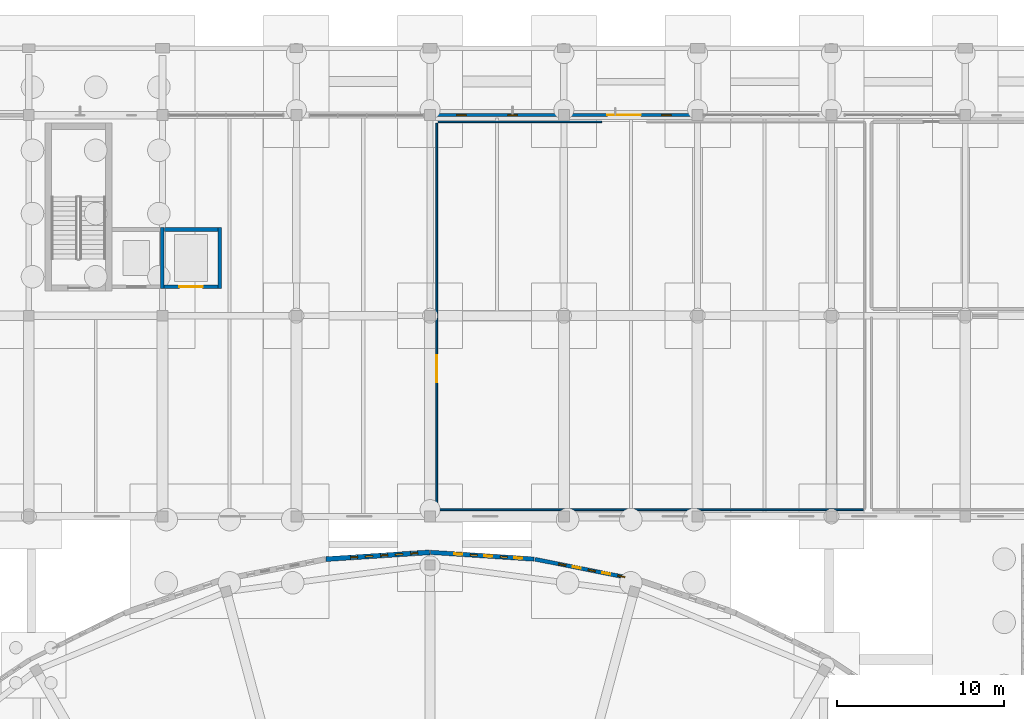
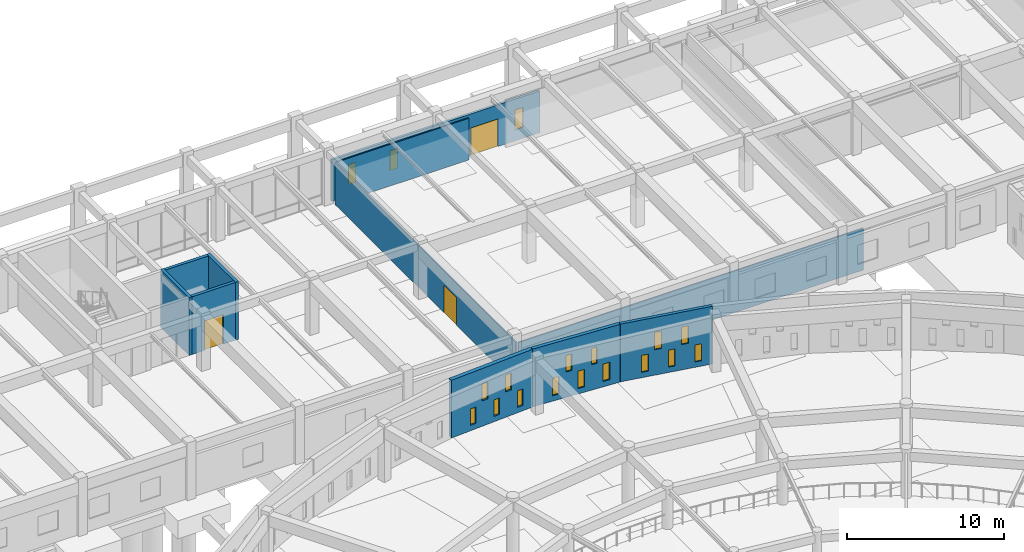
# One storey, part 54 of 84: 18 windows, 11 walls, 3 doors, 21 openings.
"""IFC4 building model written with IfcOpenShell, lengths in metres."""

from ifc_helpers import new_model, si_unit, direction, frame, frame_2d, origin, place, context, subcontext, project, spatial, rectangle, extrude, material, layer, layer_set, type_object, element, fill, save


model = new_model("IFC4")

# Units and contexts
model_context = context("Model", 3, precision=1e-05, world=origin(), true_north=direction((0.0, 1.0)))
body_context = subcontext(model_context, "Body", "Model", "MODEL_VIEW")
ifc_project = project(units=[si_unit("LENGTHUNIT", "METRE"), si_unit("AREAUNIT", "SQUARE_METRE"), si_unit("VOLUMEUNIT", "CUBIC_METRE"), si_unit("PLANEANGLEUNIT", "RADIAN"), si_unit("MASSUNIT", "GRAM", prefix="KILO")], contexts=[model_context])

# Site, building, storey
site_placement = place(None, origin())
site = spatial("IfcSite", under=ifc_project, at=site_placement, CompositionType="ELEMENT")
building_placement = place(site_placement, origin())
building = spatial("IfcBuilding", under=site, at=building_placement, Name="Larkveld Mobility Hub", CompositionType="ELEMENT")
storey_placement = place(building_placement, origin())
storey = spatial("IfcBuildingStorey", under=building, at=storey_placement, Name="L00", CompositionType="ELEMENT", Elevation=0.0)

# Wall, openings, windows
ifc_material_1 = material(Name="Fired clay brick 25 MPa", Category="masonry")
ifc_layer_1 = layer(ifc_material_1, 0.22998046875, Name="Fired clay brick 25 MPa", Category="masonry")
ifc_layer_set_1 = layer_set([ifc_layer_1], Name="Fired clay brick 25 MPa")
wall_type_1 = type_object("IfcWallType", Name="WL-BRK-230", PredefinedType="USERDEFINED", material=ifc_layer_set_1)
wall_1_placement = place(storey_placement, frame((60.360107421875, 94.22509765625, 0.0), z_axis=(0.0, 0.0, 1.0), x_axis=(-0.980799338869, 0.195019632022, 0.0)))
wall_1 = element("IfcWall", 1, at=wall_1_placement, inside=storey, type_object=wall_type_1, Name="Drum Woven Open-Bond Brick Chord L00-0009", ObjectType="PERFORATED BRICK SCREEN", PredefinedType="USERDEFINED", context=body_context, shape_type="SweptSolid", body=[
    extrude(rectangle(XDim=6.209228515625, YDim=0.22998046875, at=frame_2d((3.1044921875, 0.0))), origin(), (0.0, 0.0, 1.0), 4.5),
])
opening_1_placement = place(wall_1_placement, frame((0.719970703125, 0.0, 0.419921875)))
opening_1 = element("IfcOpeningElement", 2, at=opening_1_placement, cuts=wall_1, Name="Opening W02", PredefinedType="OPENING", context=body_context, shape_type="SweptSolid", body=[
    extrude(rectangle(XDim=0.449951171875, YDim=1.320068359375, at=frame_2d((0.22509765625, 0.66015625))), frame((0.0, 0.125, 0.0), z_axis=(0.0, -1.0, 0.0), x_axis=(1.0, 0.0, 0.0)), (0.0, 0.0, 1.0), 0.25),
])
opening_2_placement = place(wall_1_placement, frame((2.52001953125, 0.0, 0.419921875)))
opening_2 = element("IfcOpeningElement", 3, at=opening_2_placement, cuts=wall_1, Name="Opening W02", PredefinedType="OPENING", context=body_context, shape_type="SweptSolid", body=[
    extrude(rectangle(XDim=0.449951171875, YDim=1.320068359375, at=frame_2d((0.22509765625, 0.66015625))), frame((0.0, 0.125, 0.0), z_axis=(0.0, -1.0, 0.0), x_axis=(1.0, 0.0, 0.0)), (0.0, 0.0, 1.0), 0.25),
])
opening_3_placement = place(wall_1_placement, frame((4.320068359375, 0.0, 0.419921875)))
opening_3 = element("IfcOpeningElement", 4, at=opening_3_placement, cuts=wall_1, Name="Opening W02", PredefinedType="OPENING", context=body_context, shape_type="SweptSolid", body=[
    extrude(rectangle(XDim=0.449951171875, YDim=1.320068359375, at=frame_2d((0.22509765625, 0.66015625))), frame((0.0, 0.125, 0.0), z_axis=(0.0, -1.0, 0.0), x_axis=(1.0, 0.0, 0.0)), (0.0, 0.0, 1.0), 0.25),
])
opening_4_placement = place(wall_1_placement, frame((1.6201171875, 0.0, 1.97998046875)))
opening_4 = element("IfcOpeningElement", 5, at=opening_4_placement, cuts=wall_1, Name="Opening W03", PredefinedType="OPENING", context=body_context, shape_type="SweptSolid", body=[
    extrude(rectangle(XDim=0.47998046875, YDim=1.360107421875, at=frame_2d((0.239990234375, 0.68017578125))), frame((0.0, 0.125, 0.0), z_axis=(0.0, -1.0, 0.0), x_axis=(1.0, 0.0, 0.0)), (0.0, 0.0, 1.0), 0.25),
])
opening_5_placement = place(wall_1_placement, frame((3.419921875, 0.0, 1.97998046875)))
opening_5 = element("IfcOpeningElement", 6, at=opening_5_placement, cuts=wall_1, Name="Opening W03", PredefinedType="OPENING", context=body_context, shape_type="SweptSolid", body=[
    extrude(rectangle(XDim=0.47998046875, YDim=1.360107421875, at=frame_2d((0.239990234375, 0.68017578125))), frame((0.0, 0.125, 0.0), z_axis=(0.0, -1.0, 0.0), x_axis=(1.0, 0.0, 0.0)), (0.0, 0.0, 1.0), 0.25),
])
ifc_material_2 = material(Name="Extruded aluminium ventilation grille", Category="aluminium")
window_type_1 = type_object("IfcWindowType", Name="WN-VENT-02", PartitioningType="SINGLE_PANEL", PredefinedType="WINDOW", material=ifc_material_2)
window_1_placement = place(opening_1_placement, origin())
window_1 = element("IfcWindow", 7, at=window_1_placement, inside=storey, type_object=window_type_1, Name="Window W02 (0041)", OverallHeight=1.320068359375, OverallWidth=0.449951171875, PartitioningType="SINGLE_PANEL", PredefinedType="WINDOW", context=body_context, shape_type="SweptSolid", body=[
    extrude(rectangle(XDim=0.449951171875, YDim=1.320068359375, at=frame_2d((0.22509765625, 0.66015625))), frame((0.0, 0.030029296875, 0.0), z_axis=(0.0, -1.0, 0.0), x_axis=(1.0, 0.0, 0.0)), (0.0, 0.0, 1.0), 0.06005859375),
])
fill(opening_1, window_1)
window_2_placement = place(opening_2_placement, origin())
window_2 = element("IfcWindow", 8, at=window_2_placement, inside=storey, type_object=window_type_1, Name="Window W02 (0042)", OverallHeight=1.320068359375, OverallWidth=0.449951171875, PartitioningType="SINGLE_PANEL", PredefinedType="WINDOW", context=body_context, shape_type="SweptSolid", body=[
    extrude(rectangle(XDim=0.449951171875, YDim=1.320068359375, at=frame_2d((0.22509765625, 0.66015625))), frame((0.0, 0.030029296875, 0.0), z_axis=(0.0, -1.0, 0.0), x_axis=(1.0, 0.0, 0.0)), (0.0, 0.0, 1.0), 0.06005859375),
])
fill(opening_2, window_2)
window_3_placement = place(opening_3_placement, origin())
window_3 = element("IfcWindow", 9, at=window_3_placement, inside=storey, type_object=window_type_1, Name="Window W02 (0043)", OverallHeight=1.320068359375, OverallWidth=0.449951171875, PartitioningType="SINGLE_PANEL", PredefinedType="WINDOW", context=body_context, shape_type="SweptSolid", body=[
    extrude(rectangle(XDim=0.449951171875, YDim=1.320068359375, at=frame_2d((0.22509765625, 0.66015625))), frame((0.0, 0.030029296875, 0.0), z_axis=(0.0, -1.0, 0.0), x_axis=(1.0, 0.0, 0.0)), (0.0, 0.0, 1.0), 0.06005859375),
])
fill(opening_3, window_3)
window_type_2 = type_object("IfcWindowType", Name="WN-VENT-03", PartitioningType="SINGLE_PANEL", PredefinedType="WINDOW", material=ifc_material_2)
window_4_placement = place(opening_4_placement, origin())
window_4 = element("IfcWindow", 10, at=window_4_placement, inside=storey, type_object=window_type_2, Name="Window W03 (0044)", OverallHeight=1.360107421875, OverallWidth=0.47998046875, PartitioningType="SINGLE_PANEL", PredefinedType="WINDOW", context=body_context, shape_type="SweptSolid", body=[
    extrude(rectangle(XDim=0.47998046875, YDim=1.360107421875, at=frame_2d((0.239990234375, 0.68017578125))), frame((0.0, 0.030029296875, 0.0), z_axis=(0.0, -1.0, 0.0), x_axis=(1.0, 0.0, 0.0)), (0.0, 0.0, 1.0), 0.06005859375),
])
fill(opening_4, window_4)
window_5_placement = place(opening_5_placement, origin())
window_5 = element("IfcWindow", 11, at=window_5_placement, inside=storey, type_object=window_type_2, Name="Window W03 (0045)", OverallHeight=1.360107421875, OverallWidth=0.47998046875, PartitioningType="SINGLE_PANEL", PredefinedType="WINDOW", context=body_context, shape_type="SweptSolid", body=[
    extrude(rectangle(XDim=0.47998046875, YDim=1.360107421875, at=frame_2d((0.239990234375, 0.68017578125))), frame((0.0, 0.030029296875, 0.0), z_axis=(0.0, -1.0, 0.0), x_axis=(1.0, 0.0, 0.0)), (0.0, 0.0, 1.0), 0.06005859375),
])
fill(opening_5, window_5)

ifc_layer_2 = layer(ifc_material_1, 0.260009765625, Name="Fired clay brick 25 MPa", Category="masonry")
ifc_layer_set_2 = layer_set([ifc_layer_2], Name="Fired clay brick 25 MPa")
wall_type_2 = type_object("IfcWallType", Name="WL-BRK-260", PredefinedType="USERDEFINED", material=ifc_layer_set_2)
wall_2_placement = place(storey_placement, frame((54.221923828125, 95.443115234375, 0.0), z_axis=(0.0, 0.0, 1.0), x_axis=(-0.997874164219, 0.065170180182, 0.0)))
wall_2 = element("IfcWall", 12, at=wall_2_placement, inside=storey, type_object=wall_type_2, Name="Drum Woven Open-Bond Brick Chord L00-0010", ObjectType="PERFORATED BRICK SCREEN", PredefinedType="USERDEFINED", context=body_context, shape_type="SweptSolid", body=[
    extrude(rectangle(XDim=6.211181640625, YDim=0.260009765625, at=frame_2d((3.10546875, 0.0))), origin(), (0.0, 0.0, 1.0), 4.5),
])
opening_6_placement = place(wall_2_placement, frame((0.719970703125, 0.0, 0.419921875)))
opening_6 = element("IfcOpeningElement", 13, at=opening_6_placement, cuts=wall_2, Name="Opening W03", PredefinedType="OPENING", context=body_context, shape_type="SweptSolid", body=[
    extrude(rectangle(XDim=0.47998046875, YDim=1.360107421875, at=frame_2d((0.239990234375, 0.68017578125))), frame((0.0, 0.14013671875, 0.0), z_axis=(0.0, -1.0, 0.0), x_axis=(1.0, 0.0, 0.0)), (0.0, 0.0, 1.0), 0.280029296875),
])
opening_7_placement = place(wall_2_placement, frame((2.52001953125, 0.0, 0.419921875)))
opening_7 = element("IfcOpeningElement", 14, at=opening_7_placement, cuts=wall_2, Name="Opening W03", PredefinedType="OPENING", context=body_context, shape_type="SweptSolid", body=[
    extrude(rectangle(XDim=0.47998046875, YDim=1.360107421875, at=frame_2d((0.239990234375, 0.68017578125))), frame((0.0, 0.14013671875, 0.0), z_axis=(0.0, -1.0, 0.0), x_axis=(1.0, 0.0, 0.0)), (0.0, 0.0, 1.0), 0.280029296875),
])
opening_8_placement = place(wall_2_placement, frame((4.320068359375, 0.0, 0.419921875)))
opening_8 = element("IfcOpeningElement", 15, at=opening_8_placement, cuts=wall_2, Name="Opening W03", PredefinedType="OPENING", context=body_context, shape_type="SweptSolid", body=[
    extrude(rectangle(XDim=0.47998046875, YDim=1.360107421875, at=frame_2d((0.239990234375, 0.68017578125))), frame((0.0, 0.14013671875, 0.0), z_axis=(0.0, -1.0, 0.0), x_axis=(1.0, 0.0, 0.0)), (0.0, 0.0, 1.0), 0.280029296875),
])
opening_9_placement = place(wall_2_placement, frame((1.6201171875, 0.0, 1.97998046875)))
opening_9 = element("IfcOpeningElement", 16, at=opening_9_placement, cuts=wall_2, Name="Opening W01", PredefinedType="OPENING", context=body_context, shape_type="SweptSolid", body=[
    extrude(rectangle(XDim=0.419921875, YDim=1.280029296875, at=frame_2d((0.2099609375, 0.64013671875))), frame((0.0, 0.14013671875, 0.0), z_axis=(0.0, -1.0, 0.0), x_axis=(1.0, 0.0, 0.0)), (0.0, 0.0, 1.0), 0.280029296875),
])
opening_10_placement = place(wall_2_placement, frame((3.419921875, 0.0, 1.97998046875)))
opening_10 = element("IfcOpeningElement", 17, at=opening_10_placement, cuts=wall_2, Name="Opening W01", PredefinedType="OPENING", context=body_context, shape_type="SweptSolid", body=[
    extrude(rectangle(XDim=0.419921875, YDim=1.280029296875, at=frame_2d((0.2099609375, 0.64013671875))), frame((0.0, 0.14013671875, 0.0), z_axis=(0.0, -1.0, 0.0), x_axis=(1.0, 0.0, 0.0)), (0.0, 0.0, 1.0), 0.280029296875),
])
window_type_3 = type_object("IfcWindowType", Name="WN-VENT-01", PartitioningType="SINGLE_PANEL", PredefinedType="WINDOW", material=ifc_material_2)
window_6_placement = place(opening_9_placement, origin())
window_6 = element("IfcWindow", 18, at=window_6_placement, inside=storey, type_object=window_type_3, Name="Window W01 (0049)", OverallHeight=1.280029296875, OverallWidth=0.419921875, PartitioningType="SINGLE_PANEL", PredefinedType="WINDOW", context=body_context, shape_type="SweptSolid", body=[
    extrude(rectangle(XDim=0.419921875, YDim=1.280029296875, at=frame_2d((0.2099609375, 0.64013671875))), frame((0.0, 0.030029296875, 0.0), z_axis=(0.0, -1.0, 0.0), x_axis=(1.0, 0.0, 0.0)), (0.0, 0.0, 1.0), 0.06005859375),
])
fill(opening_9, window_6)
window_7_placement = place(opening_10_placement, origin())
window_7 = element("IfcWindow", 19, at=window_7_placement, inside=storey, type_object=window_type_3, Name="Window W01 (0050)", OverallHeight=1.280029296875, OverallWidth=0.419921875, PartitioningType="SINGLE_PANEL", PredefinedType="WINDOW", context=body_context, shape_type="SweptSolid", body=[
    extrude(rectangle(XDim=0.419921875, YDim=1.280029296875, at=frame_2d((0.2099609375, 0.64013671875))), frame((0.0, 0.030029296875, 0.0), z_axis=(0.0, -1.0, 0.0), x_axis=(1.0, 0.0, 0.0)), (0.0, 0.0, 1.0), 0.06005859375),
])
fill(opening_10, window_7)
window_8_placement = place(opening_6_placement, origin())
window_8 = element("IfcWindow", 20, at=window_8_placement, inside=storey, type_object=window_type_2, Name="Window W03 (0046)", OverallHeight=1.360107421875, OverallWidth=0.47998046875, PartitioningType="SINGLE_PANEL", PredefinedType="WINDOW", context=body_context, shape_type="SweptSolid", body=[
    extrude(rectangle(XDim=0.47998046875, YDim=1.360107421875, at=frame_2d((0.239990234375, 0.68017578125))), frame((0.0, 0.030029296875, 0.0), z_axis=(0.0, -1.0, 0.0), x_axis=(1.0, 0.0, 0.0)), (0.0, 0.0, 1.0), 0.06005859375),
])
fill(opening_6, window_8)
window_9_placement = place(opening_7_placement, origin())
window_9 = element("IfcWindow", 21, at=window_9_placement, inside=storey, type_object=window_type_2, Name="Window W03 (0047)", OverallHeight=1.360107421875, OverallWidth=0.47998046875, PartitioningType="SINGLE_PANEL", PredefinedType="WINDOW", context=body_context, shape_type="SweptSolid", body=[
    extrude(rectangle(XDim=0.47998046875, YDim=1.360107421875, at=frame_2d((0.239990234375, 0.68017578125))), frame((0.0, 0.030029296875, 0.0), z_axis=(0.0, -1.0, 0.0), x_axis=(1.0, 0.0, 0.0)), (0.0, 0.0, 1.0), 0.06005859375),
])
fill(opening_7, window_9)
window_10_placement = place(opening_8_placement, origin())
window_10 = element("IfcWindow", 22, at=window_10_placement, inside=storey, type_object=window_type_2, Name="Window W03 (0048)", OverallHeight=1.360107421875, OverallWidth=0.47998046875, PartitioningType="SINGLE_PANEL", PredefinedType="WINDOW", context=body_context, shape_type="SweptSolid", body=[
    extrude(rectangle(XDim=0.47998046875, YDim=1.360107421875, at=frame_2d((0.239990234375, 0.68017578125))), frame((0.0, 0.030029296875, 0.0), z_axis=(0.0, -1.0, 0.0), x_axis=(1.0, 0.0, 0.0)), (0.0, 0.0, 1.0), 0.06005859375),
])
fill(opening_8, window_10)

ifc_layer_3 = layer(ifc_material_1, 0.2900390625, Name="Fired clay brick 25 MPa", Category="masonry")
ifc_layer_set_3 = layer_set([ifc_layer_3], Name="Fired clay brick 25 MPa")
wall_type_3 = type_object("IfcWallType", Name="WL-BRK-290", PredefinedType="USERDEFINED", material=ifc_layer_set_3)
wall_3_placement = place(storey_placement, frame((47.97607421875, 95.847900390625, 0.0), z_axis=(0.0, 0.0, 1.0), x_axis=(-0.997874164219, -0.065170180182, 0.0)))
wall_3 = element("IfcWall", 23, at=wall_3_placement, inside=storey, type_object=wall_type_3, Name="Drum Woven Open-Bond Brick Chord L00-0011", ObjectType="PERFORATED BRICK SCREEN", PredefinedType="USERDEFINED", context=body_context, shape_type="SweptSolid", body=[
    extrude(rectangle(XDim=6.211181640625, YDim=0.2900390625, at=frame_2d((3.10546875, 0.0))), origin(), (0.0, 0.0, 1.0), 4.5),
])
opening_11_placement = place(wall_3_placement, frame((0.719970703125, 0.0, 0.419921875)))
opening_11 = element("IfcOpeningElement", 24, at=opening_11_placement, cuts=wall_3, Name="Opening W01", PredefinedType="OPENING", context=body_context, shape_type="SweptSolid", body=[
    extrude(rectangle(XDim=0.419921875, YDim=1.280029296875, at=frame_2d((0.2099609375, 0.64013671875))), frame((0.0, 0.155029296875, 0.0), z_axis=(0.0, -1.0, 0.0), x_axis=(1.0, 0.0, 0.0)), (0.0, 0.0, 1.0), 0.31005859375),
])
opening_12_placement = place(wall_3_placement, frame((2.52001953125, 0.0, 0.419921875)))
opening_12 = element("IfcOpeningElement", 25, at=opening_12_placement, cuts=wall_3, Name="Opening W01", PredefinedType="OPENING", context=body_context, shape_type="SweptSolid", body=[
    extrude(rectangle(XDim=0.419921875, YDim=1.280029296875, at=frame_2d((0.2099609375, 0.64013671875))), frame((0.0, 0.155029296875, 0.0), z_axis=(0.0, -1.0, 0.0), x_axis=(1.0, 0.0, 0.0)), (0.0, 0.0, 1.0), 0.31005859375),
])
opening_13_placement = place(wall_3_placement, frame((4.320068359375, 0.0, 0.419921875)))
opening_13 = element("IfcOpeningElement", 26, at=opening_13_placement, cuts=wall_3, Name="Opening W01", PredefinedType="OPENING", context=body_context, shape_type="SweptSolid", body=[
    extrude(rectangle(XDim=0.419921875, YDim=1.280029296875, at=frame_2d((0.2099609375, 0.64013671875))), frame((0.0, 0.155029296875, 0.0), z_axis=(0.0, -1.0, 0.0), x_axis=(1.0, 0.0, 0.0)), (0.0, 0.0, 1.0), 0.31005859375),
])
opening_14_placement = place(wall_3_placement, frame((1.6201171875, 0.0, 1.97998046875)))
opening_14 = element("IfcOpeningElement", 27, at=opening_14_placement, cuts=wall_3, Name="Opening W02", PredefinedType="OPENING", context=body_context, shape_type="SweptSolid", body=[
    extrude(rectangle(XDim=0.449951171875, YDim=1.320068359375, at=frame_2d((0.22509765625, 0.66015625))), frame((0.0, 0.155029296875, 0.0), z_axis=(0.0, -1.0, 0.0), x_axis=(1.0, 0.0, 0.0)), (0.0, 0.0, 1.0), 0.31005859375),
])
opening_15_placement = place(wall_3_placement, frame((3.419921875, 0.0, 1.97998046875)))
opening_15 = element("IfcOpeningElement", 28, at=opening_15_placement, cuts=wall_3, Name="Opening W02", PredefinedType="OPENING", context=body_context, shape_type="SweptSolid", body=[
    extrude(rectangle(XDim=0.449951171875, YDim=1.320068359375, at=frame_2d((0.22509765625, 0.66015625))), frame((0.0, 0.155029296875, 0.0), z_axis=(0.0, -1.0, 0.0), x_axis=(1.0, 0.0, 0.0)), (0.0, 0.0, 1.0), 0.31005859375),
])
window_11_placement = place(opening_11_placement, origin())
window_11 = element("IfcWindow", 29, at=window_11_placement, inside=storey, type_object=window_type_3, Name="Window W01 (0051)", OverallHeight=1.280029296875, OverallWidth=0.419921875, PartitioningType="SINGLE_PANEL", PredefinedType="WINDOW", context=body_context, shape_type="SweptSolid", body=[
    extrude(rectangle(XDim=0.419921875, YDim=1.280029296875, at=frame_2d((0.2099609375, 0.64013671875))), frame((0.0, 0.030029296875, 0.0), z_axis=(0.0, -1.0, 0.0), x_axis=(1.0, 0.0, 0.0)), (0.0, 0.0, 1.0), 0.06005859375),
])
fill(opening_11, window_11)
window_12_placement = place(opening_12_placement, origin())
window_12 = element("IfcWindow", 30, at=window_12_placement, inside=storey, type_object=window_type_3, Name="Window W01 (0052)", OverallHeight=1.280029296875, OverallWidth=0.419921875, PartitioningType="SINGLE_PANEL", PredefinedType="WINDOW", context=body_context, shape_type="SweptSolid", body=[
    extrude(rectangle(XDim=0.419921875, YDim=1.280029296875, at=frame_2d((0.2099609375, 0.64013671875))), frame((0.0, 0.030029296875, 0.0), z_axis=(0.0, -1.0, 0.0), x_axis=(1.0, 0.0, 0.0)), (0.0, 0.0, 1.0), 0.06005859375),
])
fill(opening_12, window_12)
window_13_placement = place(opening_13_placement, origin())
window_13 = element("IfcWindow", 31, at=window_13_placement, inside=storey, type_object=window_type_3, Name="Window W01 (0053)", OverallHeight=1.280029296875, OverallWidth=0.419921875, PartitioningType="SINGLE_PANEL", PredefinedType="WINDOW", context=body_context, shape_type="SweptSolid", body=[
    extrude(rectangle(XDim=0.419921875, YDim=1.280029296875, at=frame_2d((0.2099609375, 0.64013671875))), frame((0.0, 0.030029296875, 0.0), z_axis=(0.0, -1.0, 0.0), x_axis=(1.0, 0.0, 0.0)), (0.0, 0.0, 1.0), 0.06005859375),
])
fill(opening_13, window_13)
window_14_placement = place(opening_14_placement, origin())
window_14 = element("IfcWindow", 32, at=window_14_placement, inside=storey, type_object=window_type_1, Name="Window W02 (0054)", OverallHeight=1.320068359375, OverallWidth=0.449951171875, PartitioningType="SINGLE_PANEL", PredefinedType="WINDOW", context=body_context, shape_type="SweptSolid", body=[
    extrude(rectangle(XDim=0.449951171875, YDim=1.320068359375, at=frame_2d((0.22509765625, 0.66015625))), frame((0.0, 0.030029296875, 0.0), z_axis=(0.0, -1.0, 0.0), x_axis=(1.0, 0.0, 0.0)), (0.0, 0.0, 1.0), 0.06005859375),
])
fill(opening_14, window_14)
window_15_placement = place(opening_15_placement, origin())
window_15 = element("IfcWindow", 33, at=window_15_placement, inside=storey, type_object=window_type_1, Name="Window W02 (0055)", OverallHeight=1.320068359375, OverallWidth=0.449951171875, PartitioningType="SINGLE_PANEL", PredefinedType="WINDOW", context=body_context, shape_type="SweptSolid", body=[
    extrude(rectangle(XDim=0.449951171875, YDim=1.320068359375, at=frame_2d((0.22509765625, 0.66015625))), frame((0.0, 0.030029296875, 0.0), z_axis=(0.0, -1.0, 0.0), x_axis=(1.0, 0.0, 0.0)), (0.0, 0.0, 1.0), 0.06005859375),
])
fill(opening_15, window_15)

# Wall, openings, door, windows
ifc_material_3 = material(Name="Glazed architectural ceramic masonry 20 MPa", Category="masonry")
ifc_layer_4 = layer(ifc_material_3, 0.179931640625, Name="Glazed architectural ceramic masonry 20 MPa", Category="masonry")
ifc_layer_set_4 = layer_set([ifc_layer_4], Name="Glazed architectural ceramic masonry 20 MPa")
wall_type_4 = type_object("IfcWallType", Name="WL-COB-180", PredefinedType="USERDEFINED", material=ifc_layer_set_4)
wall_4_placement = place(storey_placement, frame((63.6650390625, 122.0, 0.0), z_axis=(0.0, 0.0, 1.0), x_axis=(-1.0, 0.0, 0.0)))
wall_4 = element("IfcWall", 34, at=wall_4_placement, inside=storey, type_object=wall_type_4, Name="Bicycle Hall Ceramic Cobogo Screen L00-0182", ObjectType="CERAMIC COBOGO SCREEN", PredefinedType="USERDEFINED", context=body_context, shape_type="SweptSolid", body=[
    extrude(rectangle(XDim=15.330078125, YDim=0.179931640625, at=frame_2d((7.6650390625, 0.0))), origin(), (0.0, 0.0, 1.0), 3.2451171875),
])
opening_16_placement = place(wall_4_placement, frame((3.06494140625, 0.0, 0.0)))
opening_16 = element("IfcOpeningElement", 35, at=opening_16_placement, cuts=wall_4, Name="Opening ED02", PredefinedType="OPENING", context=body_context, shape_type="SweptSolid", body=[
    extrude(rectangle(XDim=2.0, YDim=2.14990234375, at=frame_2d((1.0, 1.074951171875))), frame((0.0, 0.10009765625, 0.0), z_axis=(0.0, -1.0, 0.0), x_axis=(1.0, 0.0, 0.0)), (0.0, 0.0, 1.0), 0.199951171875),
])
opening_17_placement = place(wall_4_placement, frame((1.2529296875, 0.0, 0.85009765625)))
opening_17 = element("IfcOpeningElement", 36, at=opening_17_placement, cuts=wall_4, Name="Opening W04", PredefinedType="OPENING", context=body_context, shape_type="SweptSolid", body=[
    extrude(rectangle(XDim=0.56005859375, YDim=1.550048828125, at=frame_2d((0.280029296875, 0.77490234375))), frame((0.0, 0.10009765625, 0.0), z_axis=(0.0, -1.0, 0.0), x_axis=(1.0, 0.0, 0.0)), (0.0, 0.0, 1.0), 0.199951171875),
])
opening_18_placement = place(wall_4_placement, frame((10.450927734375, 0.0, 0.85009765625)))
opening_18 = element("IfcOpeningElement", 37, at=opening_18_placement, cuts=wall_4, Name="Opening W04", PredefinedType="OPENING", context=body_context, shape_type="SweptSolid", body=[
    extrude(rectangle(XDim=0.56005859375, YDim=1.550048828125, at=frame_2d((0.280029296875, 0.77490234375))), frame((0.0, 0.10009765625, 0.0), z_axis=(0.0, -1.0, 0.0), x_axis=(1.0, 0.0, 0.0)), (0.0, 0.0, 1.0), 0.199951171875),
])
opening_19_placement = place(wall_4_placement, frame((13.51708984375, 0.0, 0.85009765625)))
opening_19 = element("IfcOpeningElement", 38, at=opening_19_placement, cuts=wall_4, Name="Opening W04", PredefinedType="OPENING", context=body_context, shape_type="SweptSolid", body=[
    extrude(rectangle(XDim=0.56005859375, YDim=1.550048828125, at=frame_2d((0.280029296875, 0.77490234375))), frame((0.0, 0.10009765625, 0.0), z_axis=(0.0, -1.0, 0.0), x_axis=(1.0, 0.0, 0.0)), (0.0, 0.0, 1.0), 0.199951171875),
])
ifc_material_4 = material(Name="Anodised aluminium glazed entrance door", Category="aluminium")
door_type_1 = type_object("IfcDoorType", Name="DR-EXT-DB20", OperationType="DOUBLE_DOOR_SINGLE_SWING", PredefinedType="DOOR", material=ifc_material_4)
door_1_placement = place(opening_16_placement, origin())
door_1 = element("IfcDoor", 39, at=door_1_placement, inside=storey, type_object=door_type_1, Name="North Colonnade Cycle Hall Entrance EDR-L00-013", OperationType="DOUBLE_DOOR_SINGLE_SWING", OverallHeight=2.14990234375, OverallWidth=2.0, PredefinedType="DOOR", context=body_context, shape_type="SweptSolid", body=[
    extrude(rectangle(XDim=2.0, YDim=2.14990234375, at=frame_2d((1.0, 1.074951171875))), frame((0.0, 0.02490234375, 0.0), z_axis=(0.0, -1.0, 0.0), x_axis=(1.0, 0.0, 0.0)), (0.0, 0.0, 1.0), 0.050048828125),
])
fill(opening_16, door_1)
ifc_material_5 = material(Name="Extruded aluminium cobogo vent frame", Category="aluminium")
window_type_4 = type_object("IfcWindowType", Name="WN-VENT-04", PartitioningType="SINGLE_PANEL", PredefinedType="WINDOW", material=ifc_material_5)
window_16_placement = place(opening_17_placement, origin())
window_16 = element("IfcWindow", 40, at=window_16_placement, inside=storey, type_object=window_type_4, Name="Window W04 (0840)", OverallHeight=1.550048828125, OverallWidth=0.56005859375, PartitioningType="SINGLE_PANEL", PredefinedType="WINDOW", context=body_context, shape_type="SweptSolid", body=[
    extrude(rectangle(XDim=0.56005859375, YDim=1.550048828125, at=frame_2d((0.280029296875, 0.77490234375))), frame((0.0, 0.030029296875, 0.0), z_axis=(0.0, -1.0, 0.0), x_axis=(1.0, 0.0, 0.0)), (0.0, 0.0, 1.0), 0.06005859375),
])
fill(opening_17, window_16)
window_17_placement = place(opening_18_placement, origin())
window_17 = element("IfcWindow", 41, at=window_17_placement, inside=storey, type_object=window_type_4, Name="Window W04 (0841)", OverallHeight=1.550048828125, OverallWidth=0.56005859375, PartitioningType="SINGLE_PANEL", PredefinedType="WINDOW", context=body_context, shape_type="SweptSolid", body=[
    extrude(rectangle(XDim=0.56005859375, YDim=1.550048828125, at=frame_2d((0.280029296875, 0.77490234375))), frame((0.0, 0.030029296875, 0.0), z_axis=(0.0, -1.0, 0.0), x_axis=(1.0, 0.0, 0.0)), (0.0, 0.0, 1.0), 0.06005859375),
])
fill(opening_18, window_17)
window_18_placement = place(opening_19_placement, origin())
window_18 = element("IfcWindow", 42, at=window_18_placement, inside=storey, type_object=window_type_4, Name="Window W04 (0842)", OverallHeight=1.550048828125, OverallWidth=0.56005859375, PartitioningType="SINGLE_PANEL", PredefinedType="WINDOW", context=body_context, shape_type="SweptSolid", body=[
    extrude(rectangle(XDim=0.56005859375, YDim=1.550048828125, at=frame_2d((0.280029296875, 0.77490234375))), frame((0.0, 0.030029296875, 0.0), z_axis=(0.0, -1.0, 0.0), x_axis=(1.0, 0.0, 0.0)), (0.0, 0.0, 1.0), 0.06005859375),
])
fill(opening_19, window_18)

# Walls
ifc_material_6 = material(Name="Concrete blockwork masonry 14 MPa", Category="masonry")
ifc_layer_5 = layer(ifc_material_6, 0.10009765625, Name="Concrete blockwork masonry 14 MPa", Category="masonry")
ifc_layer_set_5 = layer_set([ifc_layer_5], Name="Concrete blockwork masonry 14 MPa")
wall_type_5 = type_object("IfcWallType", Name="WL-PRT-100", PredefinedType="PARTITIONING", material=ifc_layer_set_5)
wall_5_placement = place(storey_placement, frame((48.47998046875, 98.39990234375, 0.0), z_axis=(0.0, 0.0, 1.0), x_axis=(1.0, 0.0, 0.0)))
element("IfcWall", 43, at=wall_5_placement, inside=storey, type_object=wall_type_5, Name="E-Cargo Micro-Mobility Logistics Hub Partition 0032", PredefinedType="PARTITIONING", context=body_context, shape_type="SweptSolid", body=[
    extrude(rectangle(XDim=25.43408203125, YDim=0.10009765625, at=frame_2d((12.717041015625, 0.0))), origin(), (0.0, 0.0, 1.0), 3.2451171875),
])
wall_6_placement = place(storey_placement, frame((48.47998046875, 121.593994140625, 0.0), z_axis=(0.0, 0.0, 1.0), x_axis=(1.0, 0.0, 0.0)))
element("IfcWall", 44, at=wall_6_placement, inside=storey, type_object=wall_type_5, Name="E-Cargo Micro-Mobility Logistics Hub Partition 0033", PredefinedType="PARTITIONING", context=body_context, shape_type="SweptSolid", body=[
    extrude(rectangle(XDim=9.77001953125, YDim=0.10009765625, at=frame_2d((4.885009765625, 0.0))), origin(), (0.0, 0.0, 1.0), 3.2451171875),
])

# Wall, opening, door
wall_7_placement = place(storey_placement, frame((48.39990234375, 98.47998046875, 0.0), z_axis=(0.0, 0.0, 1.0), x_axis=(0.0, 1.0, 0.0)))
wall_7 = element("IfcWall", 45, at=wall_7_placement, inside=storey, type_object=wall_type_5, Name="E-Cargo Micro-Mobility Logistics Hub Partition 0035", PredefinedType="PARTITIONING", context=body_context, shape_type="SweptSolid", body=[
    extrude(rectangle(XDim=23.033935546875, YDim=0.10009765625, at=frame_2d((11.51708984375, 0.0))), origin(), (0.0, 0.0, 1.0), 3.2451171875),
])
opening_20_placement = place(wall_7_placement, frame((7.547119140625, 0.0, 0.0)))
opening_20 = element("IfcOpeningElement", 46, at=opening_20_placement, cuts=wall_7, Name="Opening DI09", PredefinedType="OPENING", context=body_context, shape_type="SweptSolid", body=[
    extrude(rectangle(XDim=1.60009765625, YDim=2.14990234375, at=frame_2d((0.800048828125, 1.074951171875))), frame((0.0, 0.06005859375, 0.0), z_axis=(0.0, -1.0, 0.0), x_axis=(1.0, 0.0, 0.0)), (0.0, 0.0, 1.0), 0.1201171875),
])
ifc_material_7 = material(Name="Solid-core hardwood timber door in aluminium frame", Category="wood")
door_type_2 = type_object("IfcDoorType", Name="DR-INT-160", OperationType="NOTDEFINED", PredefinedType="DOOR", material=ifc_material_7)
door_2_placement = place(opening_20_placement, origin())
door_2 = element("IfcDoor", 47, at=door_2_placement, inside=storey, type_object=door_type_2, Name="E-Cargo Micro-Mobility Logistics Hub Door 0009", OperationType="DOUBLE_DOOR_SINGLE_SWING", OverallHeight=2.14990234375, OverallWidth=1.60009765625, PredefinedType="DOOR", context=body_context, shape_type="SweptSolid", body=[
    extrude(rectangle(XDim=1.60009765625, YDim=2.14990234375, at=frame_2d((0.800048828125, 1.074951171875))), frame((0.0, 0.02490234375, 0.0), z_axis=(0.0, -1.0, 0.0), x_axis=(1.0, 0.0, 0.0)), (0.0, 0.0, 1.0), 0.050048828125),
])
fill(opening_20, door_2)

# Walls
ifc_material_8 = material(Name="Concrete C40/50", Category="concrete")
ifc_layer_6 = layer(ifc_material_8, 0.219970703125, Name="Concrete C40/50", Category="concrete")
ifc_layer_set_6 = layer_set([ifc_layer_6], Name="Concrete C40/50")
wall_type_6 = type_object("IfcWallType", Name="WL-SHF-220", PredefinedType="SHEAR", material=ifc_layer_set_6)
for number, where, z_axis, x_axis, name in (
    (48, (31.989990234375, 115.27001953125, 0.0), (0.0, 0.0, 1.0), (0.0, -1.0, 0.0), "Lift PL5 Shaft Wall L00-E"),
    (49, (35.409912109375, 115.27001953125, 0.0), (0.0, 0.0, 1.0), (0.0, -1.0, 0.0), "Lift GL3 Shaft Wall L00-E"),
):
    element("IfcWall", number, at=place(storey_placement, frame(where, z_axis=z_axis, x_axis=x_axis)), inside=storey, type_object=wall_type_6, Name=name, PredefinedType="SHEAR", context=body_context, shape_type="SweptSolid", body=[
        extrude(rectangle(XDim=3.64013671875, YDim=0.219970703125, at=frame_2d((1.820068359375, 0.0))), origin(), (0.0, 0.0, 1.0), 4.5),
    ])

# Wall, opening, door
wall_8_placement = place(storey_placement, frame((35.300048828125, 111.739990234375, 0.0), z_axis=(0.0, 0.0, 1.0), x_axis=(-1.0, 0.0, 0.0)))
wall_8 = element("IfcWall", 50, at=wall_8_placement, inside=storey, type_object=wall_type_6, Name="Lift GL3 Shaft Wall L00-S", PredefinedType="SHEAR", context=body_context, shape_type="SweptSolid", body=[
    extrude(rectangle(XDim=3.199951171875, YDim=0.219970703125, at=frame_2d((1.60009765625, 0.0))), origin(), (0.0, 0.0, 1.0), 4.5),
])
opening_21_placement = place(wall_8_placement, frame((0.89990234375, 0.0, 0.0)))
opening_21 = element("IfcOpeningElement", 51, at=opening_21_placement, cuts=wall_8, Name="Opening LD03", PredefinedType="OPENING", context=body_context, shape_type="SweptSolid", body=[
    extrude(rectangle(XDim=1.39990234375, YDim=2.300048828125, at=frame_2d((0.699951171875, 1.14990234375))), frame((0.0, 0.1201171875, 0.0), z_axis=(0.0, -1.0, 0.0), x_axis=(1.0, 0.0, 0.0)), (0.0, 0.0, 1.0), 0.239990234375),
])
ifc_material_9 = material(Name="Brushed stainless Steel S355JR sliding landing door", Category="steel")
door_type_3 = type_object("IfcDoorType", Name="DR-LD-140", OperationType="DOUBLE_DOOR_SLIDING", PredefinedType="DOOR", material=ifc_material_9)
door_3_placement = place(opening_21_placement, origin())
door_3 = element("IfcDoor", 52, at=door_3_placement, inside=storey, type_object=door_type_3, Name="Lift landing door GL3-L00", OperationType="DOUBLE_DOOR_SLIDING", OverallHeight=2.300048828125, OverallWidth=1.39990234375, PredefinedType="DOOR", context=body_context, shape_type="SweptSolid", body=[
    extrude(rectangle(XDim=1.39990234375, YDim=2.300048828125, at=frame_2d((0.699951171875, 1.14990234375))), frame((0.0, 0.02490234375, 0.0), z_axis=(0.0, -1.0, 0.0), x_axis=(1.0, 0.0, 0.0)), (0.0, 0.0, 1.0), 0.050048828125),
])
fill(opening_21, door_3)

# Wall
wall_9_placement = place(storey_placement, frame((32.10009765625, 115.159912109375, 0.0), z_axis=(0.0, 0.0, 1.0), x_axis=(1.0, 0.0, 0.0)))
element("IfcWall", 53, at=wall_9_placement, inside=storey, type_object=wall_type_6, Name="Lift GL3 Shaft Wall L00-N", PredefinedType="SHEAR", context=body_context, shape_type="SweptSolid", body=[
    extrude(rectangle(XDim=3.199951171875, YDim=0.219970703125, at=frame_2d((1.60009765625, 0.0))), origin(), (0.0, 0.0, 1.0), 4.5),
])

save(model, "model.ifc")
